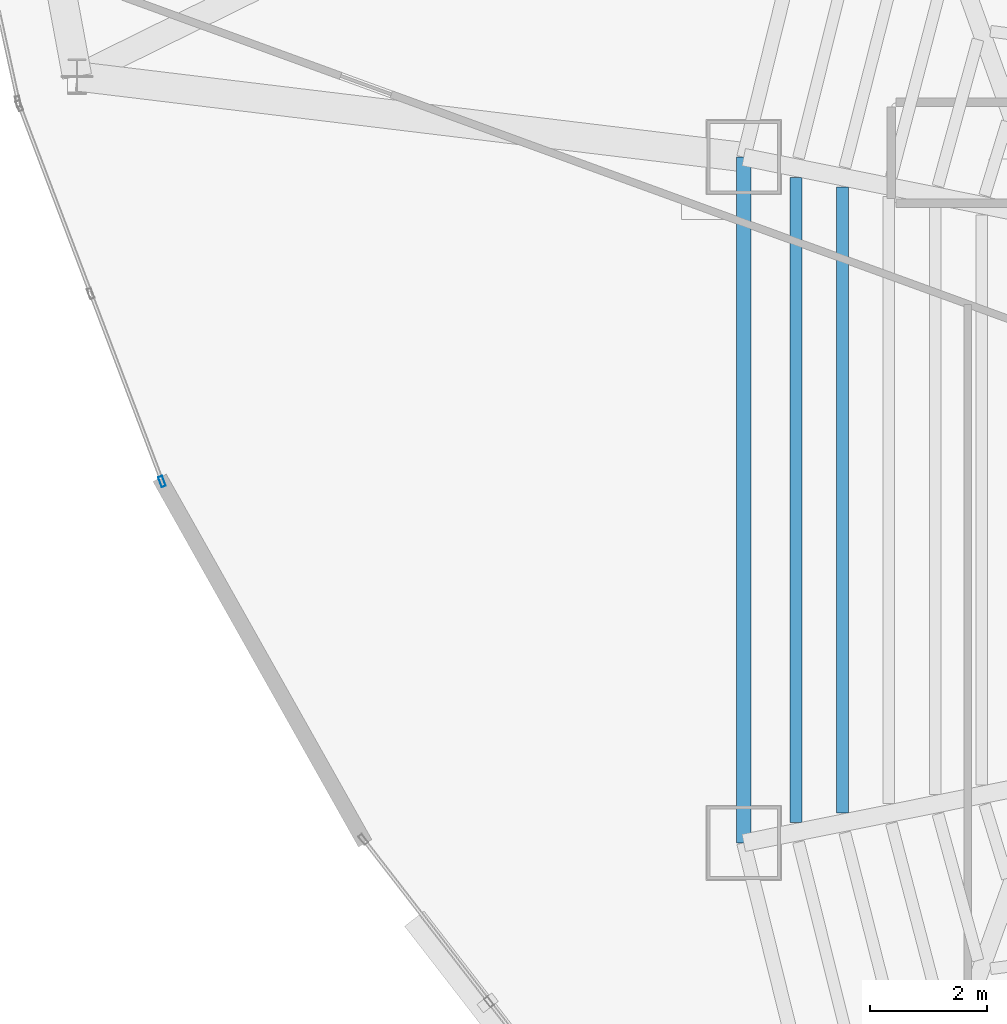
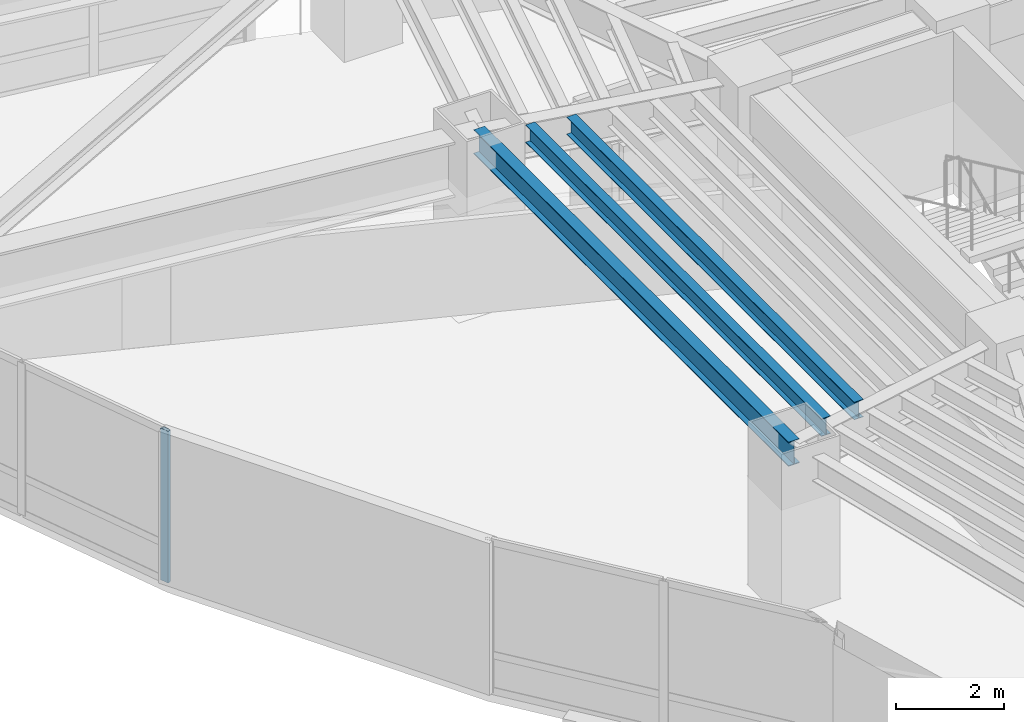
# One storey, part 4 of 25: 3 beams, 1 member, 1 element without a shape of its own.
"""IFC4 building model written with IfcOpenShell, lengths in metres."""

from ifc_helpers import new_model, si_unit, direction, frame, origin, origin_2d, place, context, subcontext, project, spatial, hollow_rectangle, i_section, extrude, material, layer, layer_set, material_profile, profile_set, type_object, element, aggregate, save


model = new_model("IFC4")

# Units and contexts
model_context = context("Model", 3, precision=1e-05, world=origin(), true_north=direction((0.0, 1.0)))
body_context = subcontext(model_context, "Body", "Model", "MODEL_VIEW")
ifc_project = project(units=[si_unit("LENGTHUNIT", "METRE"), si_unit("AREAUNIT", "SQUARE_METRE"), si_unit("VOLUMEUNIT", "CUBIC_METRE"), si_unit("PLANEANGLEUNIT", "RADIAN"), si_unit("MASSUNIT", "GRAM", prefix="KILO")], contexts=[model_context])

# Site, building, storey
site_placement = place(None, origin())
site = spatial("IfcSite", under=ifc_project, at=site_placement, CompositionType="ELEMENT")
building_placement = place(site_placement, origin())
building = spatial("IfcBuilding", under=site, at=building_placement, Name="Menara Vayukalpa", CompositionType="ELEMENT")
storey_placement = place(building_placement, frame((0.0, 0.0, 115.139892578125)))
storey = spatial("IfcBuildingStorey", under=building, at=storey_placement, Name="L28", CompositionType="ELEMENT", Elevation=115.139892578125)

# Beams
ifc_material_1 = material(Name="Steel S355", Category="steel")
ifc_material_profile_1 = material_profile(ifc_material_1, i_section(OverallWidth=0.199951171875, OverallDepth=0.39990234375, WebThickness=0.008056640625, FlangeThickness=0.012939453125, at=origin_2d()), Name="WF 400x200x8x13")
ifc_profile_set_1 = profile_set([ifc_material_profile_1], Name="Steel S355")
beam_type_1 = type_object("IfcBeamType", Name="BM-SJ2", PredefinedType="JOIST", material=ifc_profile_set_1)
beam_1_placement = place(storey_placement, frame((14.2890625, 27.3369140625, 3.239990234375), z_axis=(0.0, -1.0, 0.0), x_axis=(1.0, 0.0, 0.0)))
element("IfcBeam", 1, at=beam_1_placement, inside=storey, type_object=beam_type_1, Name="L28 Secondary Floor Joist SJ05-4", PredefinedType="JOIST", context=body_context, shape_type="SweptSolid", body=[
    extrude(i_section(OverallWidth=0.199951171875, OverallDepth=0.39990234375, WebThickness=0.008056640625, FlangeThickness=0.012939453125, at=origin_2d()), origin(), (0.0, 0.0, 1.0), 10.673828125),
])
beam_2_placement = place(storey_placement, frame((13.497314453125, 27.496337890625, 3.239990234375), z_axis=(0.0, -1.0, 0.0), x_axis=(1.0, 0.0, 0.0)))
element("IfcBeam", 2, at=beam_2_placement, inside=storey, type_object=beam_type_1, Name="L28 Secondary Floor Joist SJ05-5", PredefinedType="JOIST", context=body_context, shape_type="SweptSolid", body=[
    extrude(i_section(OverallWidth=0.199951171875, OverallDepth=0.39990234375, WebThickness=0.008056640625, FlangeThickness=0.012939453125, at=origin_2d()), origin(), (0.0, 0.0, 1.0), 10.99267578125),
])
ifc_material_2 = material(Name="Steel S355", Category="steel")
ifc_material_profile_2 = material_profile(ifc_material_2, i_section(OverallWidth=0.239990234375, OverallDepth=0.550048828125, WebThickness=0.010986328125, FlangeThickness=0.01904296875, at=origin_2d()), Name="WF 550x240x11x19")
ifc_profile_set_2 = profile_set([ifc_material_profile_2], Name="Steel S355")
beam_type_2 = type_object("IfcBeamType", Name="BM-SP2", PredefinedType="SPANDREL", material=ifc_profile_set_2)
beam_3_placement = place(storey_placement, frame((12.606689453125, 27.845703125, 3.1650390625), z_axis=(0.0, -1.0, 0.0), x_axis=(1.0, 0.0, 0.0)))
element("IfcBeam", 3, at=beam_3_placement, inside=storey, type_object=beam_type_2, Name="L28 Perimeter Spandrel Beam SP05", PredefinedType="SPANDREL", context=body_context, shape_type="SweptSolid", body=[
    extrude(i_section(OverallWidth=0.239990234375, OverallDepth=0.550048828125, WebThickness=0.010986328125, FlangeThickness=0.01904296875, at=origin_2d()), origin(), (0.0, 0.0, 1.0), 11.69140625),
])

# Curtain wall, member
ifc_material_3 = material(Name="Anodised Terracotta Aluminium Alloy 6063-T6", Category="masonry")
ifc_layer = layer(ifc_material_3, 0.179931640625)
ifc_layer_set = layer_set([ifc_layer], Name="Anodised Terracotta Aluminium Alloy 6063-T6")
curtain_wall_type = type_object("IfcCurtainWallType", Name="CW-CW4", PredefinedType="USERDEFINED", material=ifc_layer_set)
curtain_wall_placement = place(storey_placement, origin())
curtain_wall = element("IfcCurtainWall", 4, at=curtain_wall_placement, inside=storey, type_object=curtain_wall_type, Name="L28 Sky Bar Cantilever Glazed Curtain Wall CW4 11", ObjectType="UNITISED", PredefinedType="USERDEFINED")
ifc_material_4 = material(Name="Anodised Terracotta Aluminium Alloy 6063-T6", Category="masonry")
ifc_material_profile_3 = material_profile(ifc_material_4, hollow_rectangle(XDim=0.074951171875, YDim=0.179931640625, WallThickness=0.00390625, at=origin_2d()), Name="ALU 75x180x4")
ifc_profile_set_3 = profile_set([ifc_material_profile_3], Name="Anodised Terracotta Aluminium Alloy 6063-T6")
member_type = type_object("IfcMemberType", Name="CWM-CW4", PredefinedType="MULLION", material=ifc_profile_set_3)
member_placement = place(storey_placement, frame((2.6875, 22.315673828125, 0.0), z_axis=(0.0, 0.0, 1.0), x_axis=(0.934964177732, 0.354742140657, 0.0)))
member = element("IfcMember", 5, at=member_placement, type_object=member_type, Name="CW4 mullion 3", PredefinedType="MULLION", context=body_context, shape_type="SweptSolid", body=[
    extrude(hollow_rectangle(XDim=0.074951171875, YDim=0.179931640625, WallThickness=0.00390625, at=origin_2d()), origin(), (0.0, 0.0, 1.0), 3.440185546875),
])
aggregate(curtain_wall, [member])

save(model, "model.ifc")
